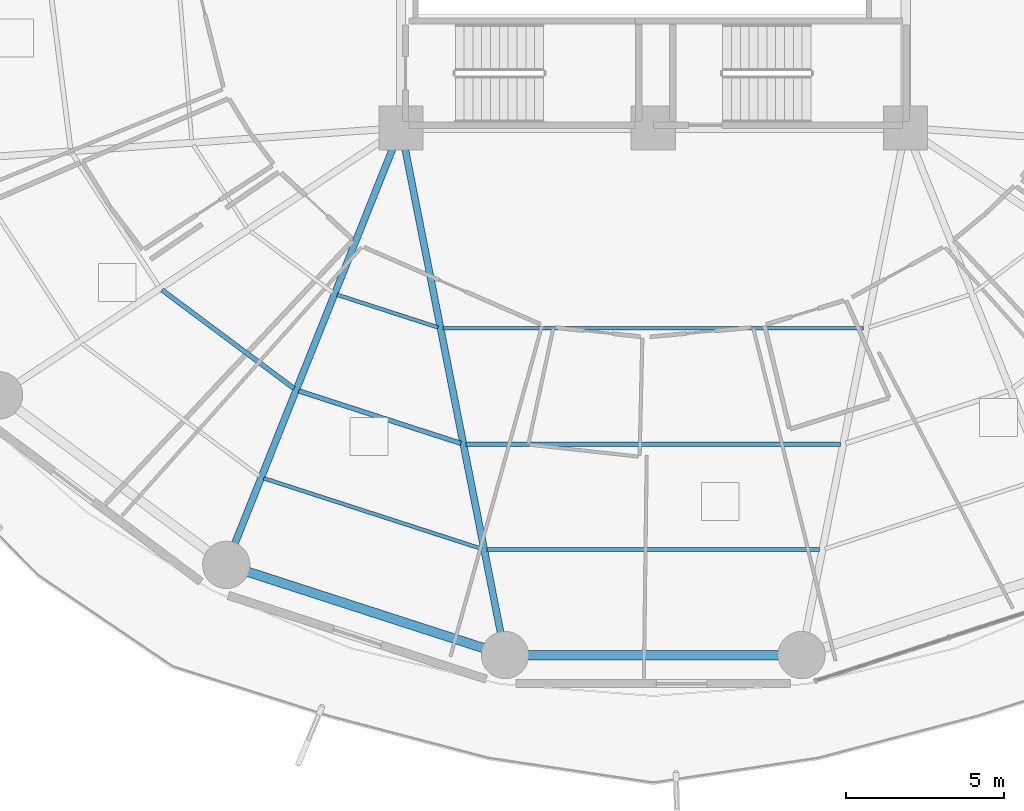
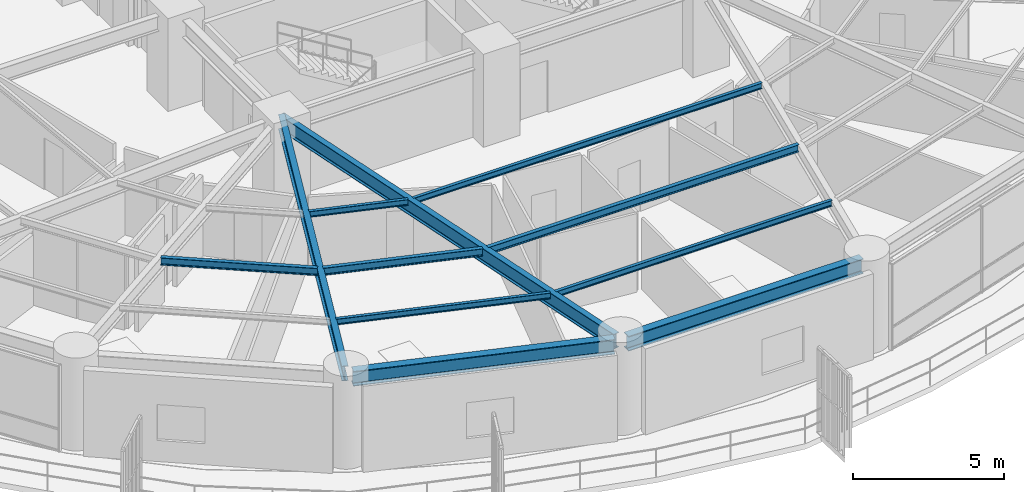
# One storey, part 3 of 34: 11 beams.
"""IFC4 building model written with IfcOpenShell, lengths in metres."""

from ifc_helpers import new_model, si_unit, direction, frame, origin, origin_2d, place, context, subcontext, project, spatial, i_section, extrude, material, material_profile, profile_set, type_object, element, save


model = new_model("IFC4")

# Units and contexts
model_context = context("Model", 3, precision=1e-05, world=origin(), true_north=direction((0.0, 1.0)))
body_context = subcontext(model_context, "Body", "Model", "MODEL_VIEW")
ifc_project = project(units=[si_unit("LENGTHUNIT", "METRE"), si_unit("AREAUNIT", "SQUARE_METRE"), si_unit("VOLUMEUNIT", "CUBIC_METRE"), si_unit("PLANEANGLEUNIT", "RADIAN"), si_unit("MASSUNIT", "GRAM", prefix="KILO")], contexts=[model_context])

# Site, building, storey
site_placement = place(None, origin())
site = spatial("IfcSite", under=ifc_project, at=site_placement, CompositionType="ELEMENT")
building_placement = place(site_placement, origin())
building = spatial("IfcBuilding", under=site, at=building_placement, Name="Kelanora Arch Commons", CompositionType="ELEMENT")
storey_placement = place(building_placement, frame((0.0, 0.0, 30.0)))
storey = spatial("IfcBuildingStorey", under=building, at=storey_placement, Name="L07", CompositionType="ELEMENT", Elevation=30.0)

# Beams
ifc_material = material(Name="Steel S355", Category="steel")
ifc_material_profile_1 = material_profile(ifc_material, i_section(OverallWidth=0.14990234375, OverallDepth=0.300048828125, WebThickness=0.007080078125, FlangeThickness=0.0107421875, FilletRadius=0.014892578125, at=origin_2d()), Name="IPE300")
ifc_profile_set_1 = profile_set([ifc_material_profile_1], Name="Steel S355")
beam_type_1 = type_object("IfcBeamType", Name="BM-JST-01", PredefinedType="JOIST", material=ifc_profile_set_1)
beam_1_placement = place(storey_placement, frame((58.42138671875, 45.8623046875, 3.340087890625), z_axis=(0.801478251559, -0.598023922831, 0.0), x_axis=(0.598023922831, 0.801478251559, 0.0)))
element("IfcBeam", 1, at=beam_1_placement, inside=storey, type_object=beam_type_1, Name="Secondary Chord Joist BJB-22 L07", PredefinedType="JOIST", context=body_context, shape_type="SweptSolid", body=[
    extrude(i_section(OverallWidth=0.14990234375, OverallDepth=0.300048828125, WebThickness=0.007080078125, FlangeThickness=0.0107421875, FilletRadius=0.014892578125, at=origin_2d()), origin(), (0.0, 0.0, 1.0), 5.223388671875),
])
beam_2_placement = place(storey_placement, frame((62.7568359375, 42.66162109375, 3.340087890625), z_axis=(0.951412209627, -0.307920131482, 0.0), x_axis=(0.307920131482, 0.951412209627, 0.0)))
element("IfcBeam", 2, at=beam_2_placement, inside=storey, type_object=beam_type_1, Name="Secondary Chord Joist BJB-24 L07", PredefinedType="JOIST", context=body_context, shape_type="SweptSolid", body=[
    extrude(i_section(OverallWidth=0.14990234375, OverallDepth=0.300048828125, WebThickness=0.007080078125, FlangeThickness=0.0107421875, FilletRadius=0.014892578125, at=origin_2d()), origin(), (0.0, 0.0, 1.0), 5.4033203125),
])
beam_3_placement = place(storey_placement, frame((68.063720703125, 40.971435546875, 3.340087890625), z_axis=(1.0, 0.0, 0.0), x_axis=(0.0, 1.0, 0.0)))
element("IfcBeam", 3, at=beam_3_placement, inside=storey, type_object=beam_type_1, Name="Secondary Chord Joist BJB-26 L07", PredefinedType="JOIST", context=body_context, shape_type="SweptSolid", body=[
    extrude(i_section(OverallWidth=0.14990234375, OverallDepth=0.300048828125, WebThickness=0.007080078125, FlangeThickness=0.0107421875, FilletRadius=0.014892578125, at=origin_2d()), origin(), (0.0, 0.0, 1.0), 11.87255859375),
])
ifc_material_profile_2 = material_profile(ifc_material, i_section(OverallWidth=0.1201171875, OverallDepth=0.239990234375, WebThickness=0.006103515625, FlangeThickness=0.009765625, FilletRadius=0.014892578125, at=origin_2d()), Name="IPE240")
ifc_profile_set_2 = profile_set([ifc_material_profile_2], Name="Steel S355")
beam_type_2 = type_object("IfcBeamType", Name="BM-JST-02", PredefinedType="JOIST", material=ifc_profile_set_2)
beam_4_placement = place(storey_placement, frame((63.9755859375, 45.709228515625, 3.3701171875), z_axis=(0.951422608074, -0.30788800049, 0.0), x_axis=(0.30788800049, 0.951422608074, 0.0)))
element("IfcBeam", 4, at=beam_4_placement, inside=storey, type_object=beam_type_2, Name="Secondary Chord Joist BJA-24 L07", PredefinedType="JOIST", context=body_context, shape_type="SweptSolid", body=[
    extrude(i_section(OverallWidth=0.1201171875, OverallDepth=0.239990234375, WebThickness=0.006103515625, FlangeThickness=0.009765625, FilletRadius=0.014892578125, at=origin_2d()), origin(), (0.0, 0.0, 1.0), 3.359619140625),
])
beam_5_placement = place(storey_placement, frame((61.64892578125, 39.890625, 3.3701171875), z_axis=(0.951410915705, -0.307924129418, 0.0), x_axis=(0.307924129418, 0.951410915705, 0.0)))
element("IfcBeam", 5, at=beam_5_placement, inside=storey, type_object=beam_type_2, Name="Secondary Chord Joist BJC-24 L07", PredefinedType="JOIST", context=body_context, shape_type="SweptSolid", body=[
    extrude(i_section(OverallWidth=0.1201171875, OverallDepth=0.239990234375, WebThickness=0.006103515625, FlangeThickness=0.009765625, FilletRadius=0.014892578125, at=origin_2d()), origin(), (0.0, 0.0, 1.0), 7.260986328125),
])
beam_6_placement = place(storey_placement, frame((67.338134765625, 44.648681640625, 3.3701171875), z_axis=(1.0, 0.0, 0.0), x_axis=(0.0, 1.0, 0.0)))
element("IfcBeam", 6, at=beam_6_placement, inside=storey, type_object=beam_type_2, Name="Secondary Chord Joist BJA-26 L07", PredefinedType="JOIST", context=body_context, shape_type="SweptSolid", body=[
    extrude(i_section(OverallWidth=0.1201171875, OverallDepth=0.239990234375, WebThickness=0.006103515625, FlangeThickness=0.009765625, FilletRadius=0.014892578125, at=origin_2d()), origin(), (0.0, 0.0, 1.0), 13.32373046875),
])
beam_7_placement = place(storey_placement, frame((68.72314453125, 37.628662109375, 3.3701171875), z_axis=(1.0, 0.0, 0.0), x_axis=(0.0, 1.0, 0.0)))
element("IfcBeam", 7, at=beam_7_placement, inside=storey, type_object=beam_type_2, Name="Secondary Chord Joist BJC-26 L07", PredefinedType="JOIST", context=body_context, shape_type="SweptSolid", body=[
    extrude(i_section(OverallWidth=0.1201171875, OverallDepth=0.239990234375, WebThickness=0.006103515625, FlangeThickness=0.009765625, FilletRadius=0.014892578125, at=origin_2d()), origin(), (0.0, 0.0, 1.0), 10.5537109375),
])
ifc_material_profile_3 = material_profile(ifc_material, i_section(OverallWidth=0.219970703125, OverallDepth=0.60009765625, WebThickness=0.011962890625, FlangeThickness=0.01904296875, FilletRadius=0.02392578125, at=origin_2d()), Name="IPE600")
ifc_profile_set_3 = profile_set([ifc_material_profile_3], Name="Steel S355")
beam_type_3 = type_object("IfcBeamType", Name="BM-RAD-Z1", PredefinedType="BEAM", material=ifc_profile_set_3)
beam_8_placement = place(storey_placement, frame((66.0, 51.0, 3.18994140625), z_axis=(-0.371296182896, -0.928514482691, 0.0), x_axis=(0.928514482691, -0.371296182896, 0.0)))
element("IfcBeam", 8, at=beam_8_placement, inside=storey, type_object=beam_type_3, Name="Radial Floor Girder BR-24 L07", PredefinedType="BEAM", context=body_context, shape_type="SweptSolid", body=[
    extrude(i_section(OverallWidth=0.219970703125, OverallDepth=0.60009765625, WebThickness=0.011962890625, FlangeThickness=0.01904296875, FilletRadius=0.02392578125, at=origin_2d()), origin(), (0.0, 0.0, 1.0), 14.700439453125),
])
beam_9_placement = place(storey_placement, frame((66.0, 51.0, 3.18994140625), z_axis=(0.193555256292, -0.981089375522, 0.0), x_axis=(0.981089375522, 0.193555256292, 0.0)))
element("IfcBeam", 9, at=beam_9_placement, inside=storey, type_object=beam_type_3, Name="Radial Floor Girder BR-26 L07", PredefinedType="BEAM", context=body_context, shape_type="SweptSolid", body=[
    extrude(i_section(OverallWidth=0.219970703125, OverallDepth=0.60009765625, WebThickness=0.011962890625, FlangeThickness=0.01904296875, FilletRadius=0.02392578125, at=origin_2d()), origin(), (0.0, 0.0, 1.0), 16.81640625),
])
ifc_material_profile_4 = material_profile(ifc_material, i_section(OverallWidth=0.300048828125, OverallDepth=0.60009765625, WebThickness=0.015380859375, FlangeThickness=0.030029296875, FilletRadius=0.027099609375, at=origin_2d()), Name="HEB600")
ifc_profile_set_4 = profile_set([ifc_material_profile_4], Name="Steel S355")
beam_type_4 = type_object("IfcBeamType", Name="BM-SPN-Z1", PredefinedType="SPANDREL", material=ifc_profile_set_4)
beam_10_placement = place(storey_placement, frame((60.669189453125, 37.078369140625, 3.18994140625), z_axis=(0.951411479564, -0.307922387224, 0.0), x_axis=(0.307922387224, 0.951411479564, 0.0)))
element("IfcBeam", 10, at=beam_10_placement, inside=storey, type_object=beam_type_4, Name="Perimeter Spandrel Beam BS-24 L07", PredefinedType="SPANDREL", context=body_context, shape_type="SweptSolid", body=[
    extrude(i_section(OverallWidth=0.300048828125, OverallDepth=0.60009765625, WebThickness=0.015380859375, FlangeThickness=0.030029296875, FilletRadius=0.027099609375, at=origin_2d()), origin(), (0.0, 0.0, 1.0), 8.84912109375),
])
beam_11_placement = place(storey_placement, frame((69.517578125, 34.285888671875, 3.18994140625), z_axis=(1.0, 0.0, 0.0), x_axis=(0.0, 1.0, 0.0)))
element("IfcBeam", 11, at=beam_11_placement, inside=storey, type_object=beam_type_4, Name="Perimeter Spandrel Beam BS-26 L07", PredefinedType="SPANDREL", context=body_context, shape_type="SweptSolid", body=[
    extrude(i_section(OverallWidth=0.300048828125, OverallDepth=0.60009765625, WebThickness=0.015380859375, FlangeThickness=0.030029296875, FilletRadius=0.027099609375, at=origin_2d()), origin(), (0.0, 0.0, 1.0), 8.96484375),
])

save(model, "model.ifc")
